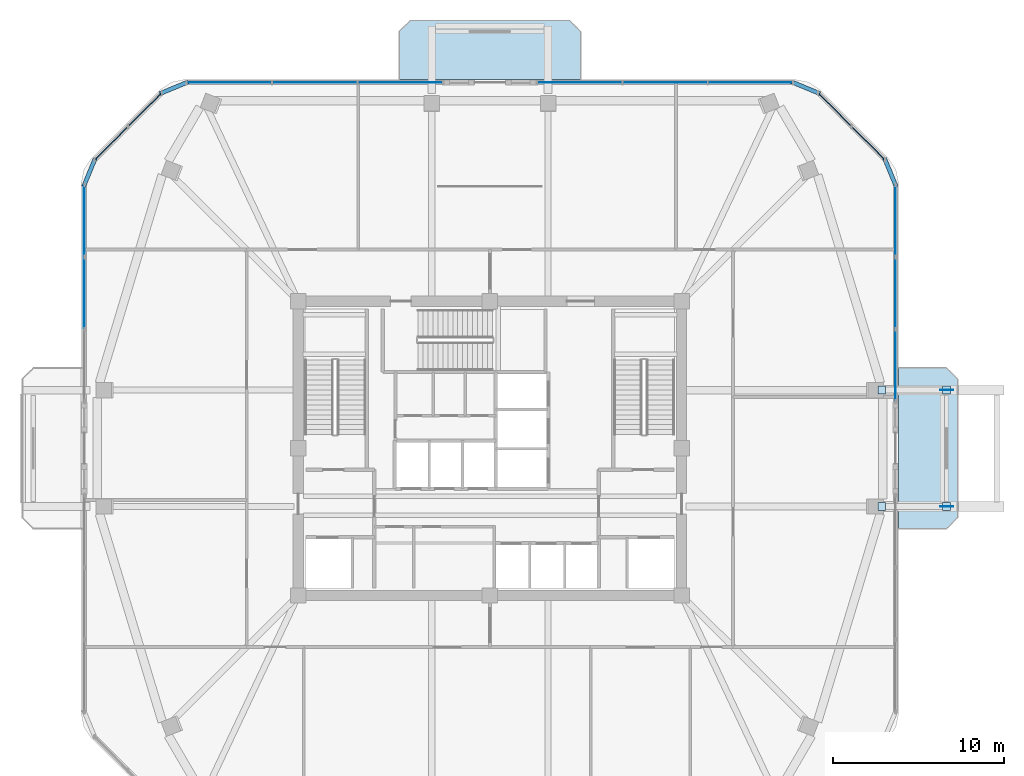
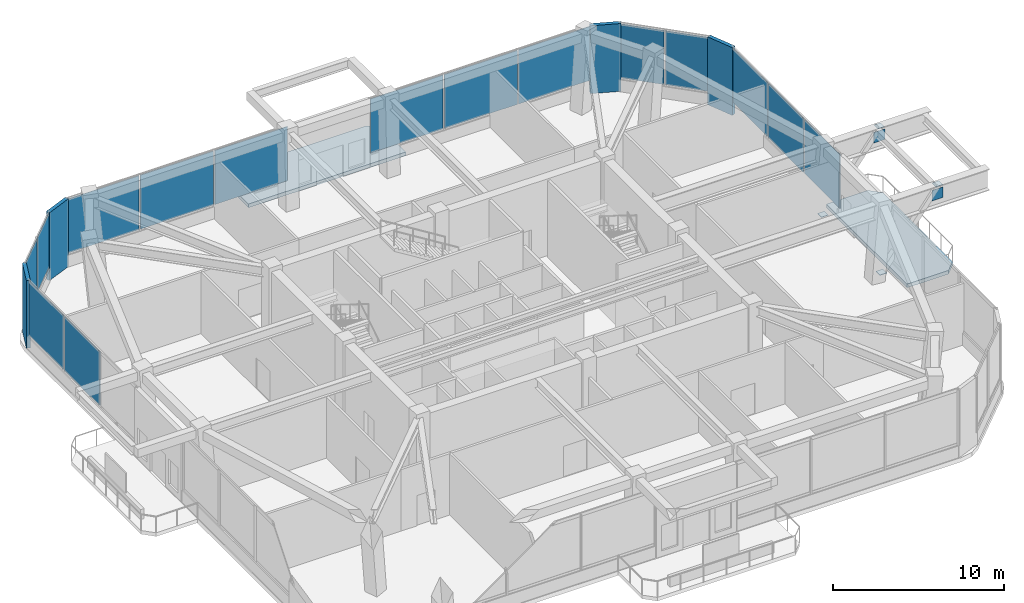
# One storey, part 7 of 14: 25 plates, 2 slabs, 6 elements without a shape of their own.
"""IFC4 building model written with IfcOpenShell, lengths in metres."""

from ifc_helpers import new_model, si_unit, derived_unit, direction, frame, origin, origin_2d, place, context, subcontext, project, spatial, polyline, rectangle, outline, extrude, material, layer, layer_set, type_object, element, aggregate, save


model = new_model("IFC4")

# Units and contexts
model_context = context("Model", 3, precision=1e-05, world=origin(), true_north=direction((0.0, 1.0)))
body_context = subcontext(model_context, "Body", "Model", "MODEL_VIEW")
ifc_project = project(units=[si_unit("LENGTHUNIT", "METRE"), si_unit("AREAUNIT", "SQUARE_METRE"), si_unit("VOLUMEUNIT", "CUBIC_METRE"), si_unit("PLANEANGLEUNIT", "RADIAN"), si_unit("MASSUNIT", "GRAM", prefix="KILO"), derived_unit("THERMALTRANSMITTANCEUNIT", [(si_unit("POWERUNIT", "WATT"), 1), (si_unit("LENGTHUNIT", "METRE"), -2), (si_unit("THERMODYNAMICTEMPERATUREUNIT", "KELVIN"), -1)])], contexts=[model_context])

# Site, building, storey
site_placement = place(None, origin())
site = spatial("IfcSite", under=ifc_project, at=site_placement, CompositionType="ELEMENT")
building_placement = place(site_placement, origin())
building = spatial("IfcBuilding", under=site, at=building_placement, Name="Koralith Skygarden Medical Center", CompositionType="ELEMENT")
storey_placement = place(building_placement, frame((0.0, 0.0, 182.699951171875)))
storey = spatial("IfcBuildingStorey", under=building, at=storey_placement, Name="L47", CompositionType="ELEMENT", Elevation=182.699951171875)

# Curtain wall, plates
ifc_material_1 = material(Name="Clear Laminated Glass", Category="glass")
curtain_wall_type = type_object("IfcCurtainWallType", Name="CW-7 Sky-Garden & Pool Conservatory Wall", PredefinedType="NOTDEFINED", material=ifc_material_1)
curtain_wall_1_placement = place(storey_placement, origin())
curtain_wall_1 = element("IfcCurtainWall", 1, at=curtain_wall_1_placement, inside=storey, type_object=curtain_wall_type, Name="Curtain Wall CW-L47-E-R", PredefinedType="NOTDEFINED")
ifc_layer_1 = layer(ifc_material_1, 0.0419921875)
ifc_layer_set_1 = layer_set([ifc_layer_1], Name="Clear Laminated Glass")
plate_type_1 = type_object("IfcPlateType", Name="CW-7 Hurricane Laminated IGU Panel 42", PredefinedType="CURTAIN_PANEL", material=ifc_layer_set_1)
plate_1_placement = place(storey_placement, frame((60.697021484375, 30.7490234375, 0.919921875), z_axis=(0.0, 0.0, 1.0), x_axis=(0.0, 1.0, 0.0)))
plate_1 = element("IfcPlate", 2, at=plate_1_placement, type_object=plate_type_1, Name="CW-L47-E-R Glazed Panel 1", PredefinedType="CURTAIN_PANEL", context=body_context, shape_type="SweptSolid", body=[
    extrude(rectangle(XDim=4.1279296875, YDim=0.0419921875, at=origin_2d()), origin(), (0.0, 0.0, 1.0), 3.840087890625),
])
plate_2_placement = place(storey_placement, frame((60.697021484375, 34.968017578125, 0.919921875), z_axis=(0.0, 0.0, 1.0), x_axis=(0.0, 1.0, 0.0)))
plate_2 = element("IfcPlate", 3, at=plate_2_placement, type_object=plate_type_1, Name="CW-L47-E-R Glazed Panel 2", PredefinedType="CURTAIN_PANEL", context=body_context, shape_type="SweptSolid", body=[
    extrude(rectangle(XDim=4.1279296875, YDim=0.0419921875, at=origin_2d()), origin(), (0.0, 0.0, 1.0), 3.840087890625),
])
plate_3_placement = place(storey_placement, frame((60.697021484375, 39.18603515625, 0.919921875), z_axis=(0.0, 0.0, 1.0), x_axis=(0.0, 1.0, 0.0)))
plate_3 = element("IfcPlate", 4, at=plate_3_placement, type_object=plate_type_1, Name="CW-L47-E-R Glazed Panel 3", PredefinedType="CURTAIN_PANEL", context=body_context, shape_type="SweptSolid", body=[
    extrude(rectangle(XDim=4.1279296875, YDim=0.0419921875, at=origin_2d()), origin(), (0.0, 0.0, 1.0), 3.840087890625),
])
aggregate(curtain_wall_1, [plate_1, plate_2, plate_3])

curtain_wall_2_placement = place(storey_placement, origin())
curtain_wall_2 = element("IfcCurtainWall", 5, at=curtain_wall_2_placement, inside=storey, type_object=curtain_wall_type, Name="Curtain Wall CW-L47-NE", PredefinedType="NOTDEFINED")
plate_4_placement = place(storey_placement, frame((59.114990234375, 43.72705078125, 0.919921875), z_axis=(0.0, 0.0, 1.0), x_axis=(-0.707106781187, 0.707106781187, 0.0)))
plate_4 = element("IfcPlate", 6, at=plate_4_placement, type_object=plate_type_1, Name="CW-L47-NE Glazed Panel 1", PredefinedType="CURTAIN_PANEL", context=body_context, shape_type="SweptSolid", body=[
    extrude(rectangle(XDim=2.68408203125, YDim=0.0419921875, at=origin_2d()), origin(), (0.0, 0.0, 1.0), 3.840087890625),
])
plate_5_placement = place(storey_placement, frame((57.154052734375, 45.68798828125, 0.919921875), z_axis=(0.0, 0.0, 1.0), x_axis=(-0.707106781187, 0.707106781187, 0.0)))
plate_5 = element("IfcPlate", 7, at=plate_5_placement, type_object=plate_type_1, Name="CW-L47-NE Glazed Panel 2", PredefinedType="CURTAIN_PANEL", context=body_context, shape_type="SweptSolid", body=[
    extrude(rectangle(XDim=2.68408203125, YDim=0.0419921875, at=origin_2d()), origin(), (0.0, 0.0, 1.0), 3.840087890625),
])
aggregate(curtain_wall_2, [plate_4, plate_5])

curtain_wall_3_placement = place(storey_placement, origin())
curtain_wall_3 = element("IfcCurtainWall", 8, at=curtain_wall_3_placement, inside=storey, type_object=curtain_wall_type, Name="Curtain Wall CW-L47-N-L", PredefinedType="NOTDEFINED")
plate_6_placement = place(storey_placement, frame((52.22509765625, 47.27001953125, 0.919921875), z_axis=(0.0, 0.0, 1.0), x_axis=(-1.0, 0.0, 0.0)))
plate_6 = element("IfcPlate", 9, at=plate_6_placement, type_object=plate_type_1, Name="CW-L47-N-L Glazed Panel 1", PredefinedType="CURTAIN_PANEL", context=body_context, shape_type="SweptSolid", body=[
    extrude(rectangle(XDim=4.904052734375, YDim=0.0419921875, at=origin_2d()), origin(), (0.0, 0.0, 1.0), 3.840087890625),
])
plate_7_placement = place(storey_placement, frame((47.23095703125, 47.27001953125, 0.919921875), z_axis=(0.0, 0.0, 1.0), x_axis=(-1.0, 0.0, 0.0)))
plate_7 = element("IfcPlate", 10, at=plate_7_placement, type_object=plate_type_1, Name="CW-L47-N-L Glazed Panel 2", PredefinedType="CURTAIN_PANEL", context=body_context, shape_type="SweptSolid", body=[
    extrude(rectangle(XDim=4.904052734375, YDim=0.0419921875, at=origin_2d()), origin(), (0.0, 0.0, 1.0), 3.840087890625),
])
plate_8_placement = place(storey_placement, frame((42.238037109375, 47.27001953125, 0.919921875), z_axis=(0.0, 0.0, 1.0), x_axis=(-1.0, 0.0, 0.0)))
plate_8 = element("IfcPlate", 11, at=plate_8_placement, type_object=plate_type_1, Name="CW-L47-N-L Glazed Panel 3", PredefinedType="CURTAIN_PANEL", context=body_context, shape_type="SweptSolid", body=[
    extrude(rectangle(XDim=4.904052734375, YDim=0.0419921875, at=origin_2d()), origin(), (0.0, 0.0, 1.0), 3.840087890625),
])
aggregate(curtain_wall_3, [plate_6, plate_7, plate_8])

curtain_wall_4_placement = place(storey_placement, origin())
curtain_wall_4 = element("IfcCurtainWall", 12, at=curtain_wall_4_placement, inside=storey, type_object=curtain_wall_type, Name="Curtain Wall CW-L47-N-R", PredefinedType="NOTDEFINED")
plate_9_placement = place(storey_placement, frame((31.763916015625, 47.27001953125, 0.919921875), z_axis=(0.0, 0.0, 1.0), x_axis=(-1.0, 0.0, 0.0)))
plate_9 = element("IfcPlate", 13, at=plate_9_placement, type_object=plate_type_1, Name="CW-L47-N-R Glazed Panel 1", PredefinedType="CURTAIN_PANEL", context=body_context, shape_type="SweptSolid", body=[
    extrude(rectangle(XDim=4.904052734375, YDim=0.0419921875, at=origin_2d()), origin(), (0.0, 0.0, 1.0), 3.840087890625),
])
plate_10_placement = place(storey_placement, frame((26.77001953125, 47.27001953125, 0.919921875), z_axis=(0.0, 0.0, 1.0), x_axis=(-1.0, 0.0, 0.0)))
plate_10 = element("IfcPlate", 14, at=plate_10_placement, type_object=plate_type_1, Name="CW-L47-N-R Glazed Panel 2", PredefinedType="CURTAIN_PANEL", context=body_context, shape_type="SweptSolid", body=[
    extrude(rectangle(XDim=4.904052734375, YDim=0.0419921875, at=origin_2d()), origin(), (0.0, 0.0, 1.0), 3.840087890625),
])
plate_11_placement = place(storey_placement, frame((21.77490234375, 47.27001953125, 0.919921875), z_axis=(0.0, 0.0, 1.0), x_axis=(-1.0, 0.0, 0.0)))
plate_11 = element("IfcPlate", 15, at=plate_11_placement, type_object=plate_type_1, Name="CW-L47-N-R Glazed Panel 3", PredefinedType="CURTAIN_PANEL", context=body_context, shape_type="SweptSolid", body=[
    extrude(rectangle(XDim=4.904052734375, YDim=0.0419921875, at=origin_2d()), origin(), (0.0, 0.0, 1.0), 3.840087890625),
])
aggregate(curtain_wall_4, [plate_9, plate_10, plate_11])

curtain_wall_5_placement = place(storey_placement, origin())
curtain_wall_5 = element("IfcCurtainWall", 16, at=curtain_wall_5_placement, inside=storey, type_object=curtain_wall_type, Name="Curtain Wall CW-L47-NW", PredefinedType="NOTDEFINED")
plate_12_placement = place(storey_placement, frame((16.845947265625, 45.68798828125, 0.919921875), z_axis=(0.0, 0.0, 1.0), x_axis=(-0.707106781187, -0.707106781187, 0.0)))
plate_12 = element("IfcPlate", 17, at=plate_12_placement, type_object=plate_type_1, Name="CW-L47-NW Glazed Panel 1", PredefinedType="CURTAIN_PANEL", context=body_context, shape_type="SweptSolid", body=[
    extrude(rectangle(XDim=2.68408203125, YDim=0.0419921875, at=origin_2d()), origin(), (0.0, 0.0, 1.0), 3.840087890625),
])
plate_13_placement = place(storey_placement, frame((14.885009765625, 43.72705078125, 0.919921875), z_axis=(0.0, 0.0, 1.0), x_axis=(-0.707106781187, -0.707106781187, 0.0)))
plate_13 = element("IfcPlate", 18, at=plate_13_placement, type_object=plate_type_1, Name="CW-L47-NW Glazed Panel 2", PredefinedType="CURTAIN_PANEL", context=body_context, shape_type="SweptSolid", body=[
    extrude(rectangle(XDim=2.68408203125, YDim=0.0419921875, at=origin_2d()), origin(), (0.0, 0.0, 1.0), 3.840087890625),
])
aggregate(curtain_wall_5, [plate_12, plate_13])

curtain_wall_6_placement = place(storey_placement, origin())
curtain_wall_6 = element("IfcCurtainWall", 19, at=curtain_wall_6_placement, inside=storey, type_object=curtain_wall_type, Name="Curtain Wall CW-L47-W-L", PredefinedType="NOTDEFINED")
plate_14_placement = place(storey_placement, frame((13.302978515625, 39.18603515625, 0.919921875), z_axis=(0.0, 0.0, 1.0), x_axis=(0.0, -1.0, 0.0)))
plate_14 = element("IfcPlate", 20, at=plate_14_placement, type_object=plate_type_1, Name="CW-L47-W-L Glazed Panel 1", PredefinedType="CURTAIN_PANEL", context=body_context, shape_type="SweptSolid", body=[
    extrude(rectangle(XDim=4.1279296875, YDim=0.0419921875, at=origin_2d()), origin(), (0.0, 0.0, 1.0), 3.840087890625),
])
plate_15_placement = place(storey_placement, frame((13.302978515625, 34.968017578125, 0.919921875), z_axis=(0.0, 0.0, 1.0), x_axis=(0.0, -1.0, 0.0)))
plate_15 = element("IfcPlate", 21, at=plate_15_placement, type_object=plate_type_1, Name="CW-L47-W-L Glazed Panel 2", PredefinedType="CURTAIN_PANEL", context=body_context, shape_type="SweptSolid", body=[
    extrude(rectangle(XDim=4.1279296875, YDim=0.0419921875, at=origin_2d()), origin(), (0.0, 0.0, 1.0), 3.840087890625),
])
aggregate(curtain_wall_6, [plate_14, plate_15])

# Plates
ifc_material_2 = material(Name="Steel ASTM A572 Grade 50", Category="steel")
ifc_layer_2 = layer(ifc_material_2, 0.035888671875)
ifc_layer_set_2 = layer_set([ifc_layer_2], Name="Steel ASTM A572 Grade 50")
plate_type_2 = type_object("IfcPlateType", Name="Cantilever Truss Gusset Plate 36", PredefinedType="USERDEFINED", material=ifc_layer_set_2)
for number, where, z_axis, x_axis, name in (
    (22, (63.68701171875, 22.5, 4.28515625), (0.0, 0.0, 1.0), (1.0, 0.0, 0.0), "L48 POOL Cantilever Truss Gusset 1"),
    (23, (63.68701171875, 29.300048828125, 4.28515625), (0.0, 0.0, 1.0), (1.0, 0.0, 0.0), "L48 POOL Cantilever Truss Gusset 2"),
):
    element("IfcPlate", number, at=place(storey_placement, frame(where, z_axis=z_axis, x_axis=x_axis)), inside=storey, type_object=plate_type_2, Name=name, ObjectType="GUSSET_PLATE", PredefinedType="USERDEFINED", context=body_context, shape_type="SweptSolid", body=[
        extrude(rectangle(XDim=0.75, YDim=0.035888671875, at=origin_2d()), origin(), (0.0, 0.0, 1.0), 0.75),
    ])

# Slabs
ifc_material_3 = material(Name="Concrete C45/55", Category="concrete")
ifc_layer_3 = layer(ifc_material_3, 0.260009765625)
ifc_layer_set_3 = layer_set([ifc_layer_3], Name="Concrete C45/55")
slab_type = type_object("IfcSlabType", Name="Cantilevered Planted Balcony Slab 260", PredefinedType="FLOOR", material=ifc_layer_set_3)
slab_1_placement = place(storey_placement, frame((0.0, 0.0, -0.260009765625)))
element("IfcSlab", 24, at=slab_1_placement, inside=storey, type_object=slab_type, Name="L47 N Planted Sky-Garden Balcony Slab", PredefinedType="FLOOR", context=body_context, shape_type="SweptSolid", body=[
    extrude(outline(polyline([(31.699951171875, 47.449951171875), (42.300048828125, 47.449951171875), (42.300048828125, 50.2509765625), (41.64990234375, 50.90087890625), (32.35009765625, 50.90087890625), (31.699951171875, 50.2509765625), (31.699951171875, 47.449951171875)])), origin(), (0.0, 0.0, 1.0), 0.260009765625),
])
slab_2_placement = place(storey_placement, frame((0.0, 0.0, -0.260009765625)))
element("IfcSlab", 25, at=slab_2_placement, inside=storey, type_object=slab_type, Name="L47 E Planted Sky-Garden Balcony Slab", PredefinedType="FLOOR", context=body_context, shape_type="SweptSolid", body=[
    extrude(outline(polyline([(60.876953125, 21.199951171875), (63.677001953125, 21.199951171875), (64.326904296875, 21.85009765625), (64.326904296875, 29.949951171875), (63.677001953125, 30.60009765625), (60.876953125, 30.60009765625), (60.876953125, 21.199951171875)])), origin(), (0.0, 0.0, 1.0), 0.260009765625),
])

# Plates
ifc_layer_4 = layer(ifc_material_2, 0.02490234375)
ifc_layer_set_4 = layer_set([ifc_layer_4], Name="Steel ASTM A572 Grade 50")
plate_type_3 = type_object("IfcPlateType", Name="Hollow Section End Cap Plate 25", PredefinedType="SHEET", material=ifc_layer_set_4)
for number, where, z_axis, x_axis, name in (
    (26, (59.89697265625, 22.5, 0.3876953125), (0.0, 0.0, 1.0), (1.0, 0.0, 0.0), "L48 POOL Truss Cap A-1"),
    (27, (63.68701171875, 22.5, 5.357666015625), (0.0, 0.0, 1.0), (1.0, 0.0, 0.0), "L48 POOL Truss Cap B-1"),
    (28, (59.89697265625, 29.300048828125, 0.3876953125), (0.0, 0.0, 1.0), (1.0, 0.0, 0.0), "L48 POOL Truss Cap A-2"),
    (29, (63.68701171875, 29.300048828125, 5.357666015625), (0.0, 0.0, 1.0), (1.0, 0.0, 0.0), "L48 POOL Truss Cap B-2"),
):
    element("IfcPlate", number, at=place(storey_placement, frame(where, z_axis=z_axis, x_axis=x_axis)), inside=storey, type_object=plate_type_3, Name=name, PredefinedType="SHEET", context=body_context, shape_type="SweptSolid", body=[
        extrude(rectangle(XDim=0.4599609375, YDim=0.4599609375, at=origin_2d()), origin(), (0.0, 0.0, 1.0), 0.02490234375),
    ])
ifc_material_4 = material(Name="Warm Oolitic Limestone Cladding", Category="masonry")
ifc_layer_5 = layer(ifc_material_4, 0.239990234375)
ifc_layer_set_5 = layer_set([ifc_layer_5], Name="Warm Oolitic Limestone Cladding")
plate_type_4 = type_object("IfcPlateType", Name="Rounded-Corner Oolitic Limestone Cladding Panel 240", PredefinedType="USERDEFINED", material=ifc_layer_set_5)
for number, where, z_axis, x_axis, name in (
    (30, (60.39697265625, 42.02001953125, 0.0), (0.0, 0.0, 1.0), (-0.382670532536, 0.92388487569, 0.0), "L47 Rounded-Corner Limestone Pier 3"),
    (31, (55.447998046875, 46.968994140625, 0.0), (0.0, 0.0, 1.0), (-0.92388487569, 0.382670532536, 0.0), "L47 Rounded-Corner Limestone Pier 4"),
    (32, (18.552978515625, 46.968994140625, 0.0), (0.0, 0.0, 1.0), (-0.92388487569, -0.382670532536, 0.0), "L47 Rounded-Corner Limestone Pier 5"),
    (33, (13.60400390625, 42.02001953125, 0.0), (0.0, 0.0, 1.0), (-0.382670532536, -0.92388487569, 0.0), "L47 Rounded-Corner Limestone Pier 6"),
):
    element("IfcPlate", number, at=place(storey_placement, frame(where, z_axis=z_axis, x_axis=x_axis)), inside=storey, type_object=plate_type_4, Name=name, ObjectType="LIMESTONE CLADDING", PredefinedType="USERDEFINED", context=body_context, shape_type="SweptSolid", body=[
        extrude(rectangle(XDim=1.81103515625, YDim=0.239990234375, at=origin_2d()), origin(), (0.0, 0.0, 1.0), 4.830078125),
    ])

save(model, "model.ifc")
